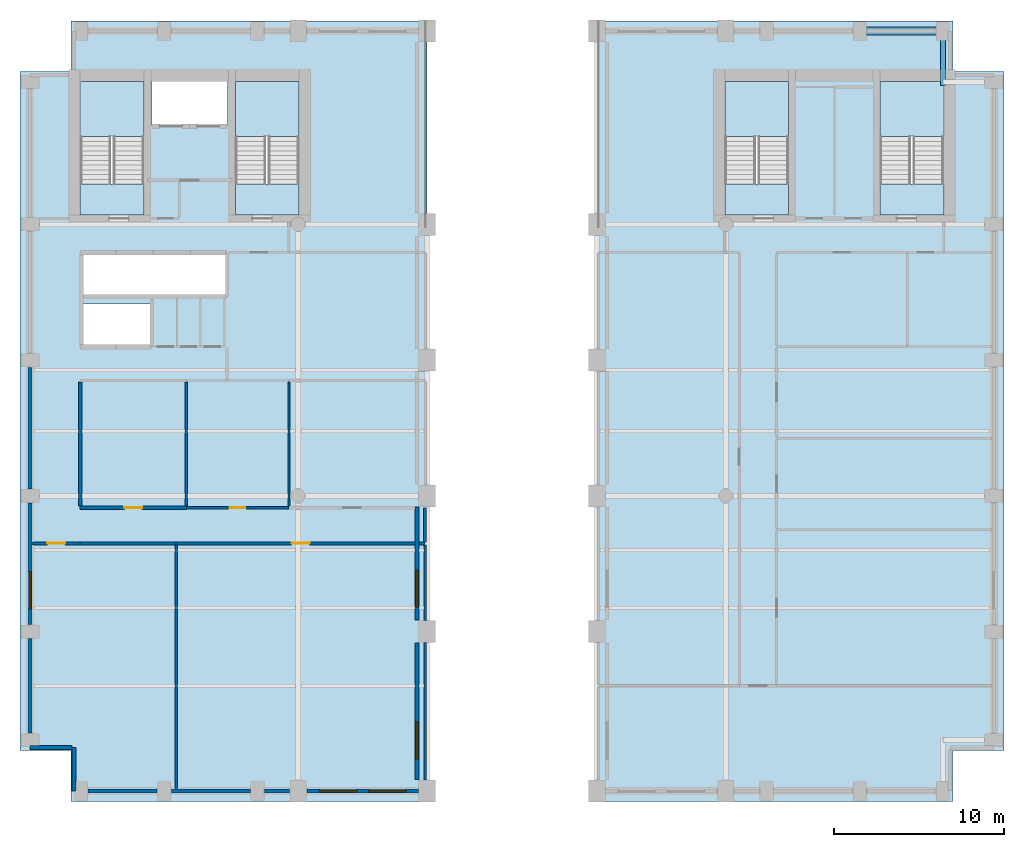
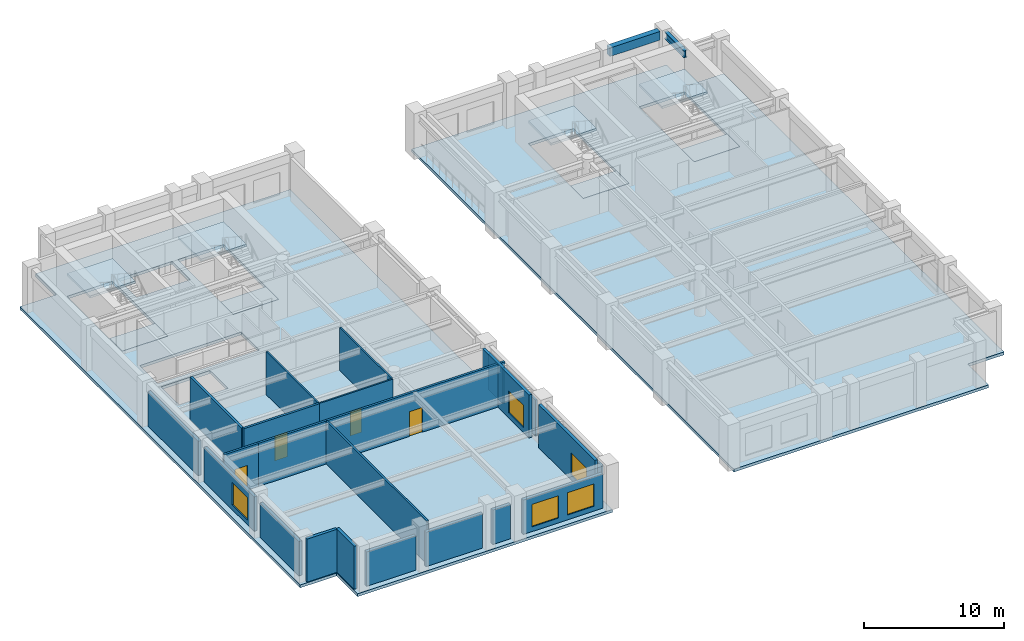
# One storey, part 2 of 8: 23 walls, 10 slabs, 5 windows, 4 doors, 2 beams, 9 openings, 4 elements without a shape of their own.
"""IFC4 building model written with IfcOpenShell, lengths in metres."""

from ifc_helpers import new_model, si_unit, direction, frame, frame_2d, origin, origin_2d, place, context, subcontext, project, spatial, polyline, rectangle, i_section, outline, extrude, material, layer, layer_set, material_profile, profile_set, type_object, element, fill, aggregate, save


model = new_model("IFC4")

# Units and contexts
model_context = context("Model", 3, precision=1e-05, world=origin(), true_north=direction((0.0, 1.0)))
body_context = subcontext(model_context, "Body", "Model", "MODEL_VIEW")
ifc_project = project(units=[si_unit("LENGTHUNIT", "METRE"), si_unit("AREAUNIT", "SQUARE_METRE"), si_unit("VOLUMEUNIT", "CUBIC_METRE"), si_unit("PLANEANGLEUNIT", "RADIAN"), si_unit("MASSUNIT", "GRAM", prefix="KILO")], contexts=[model_context])

# Site, building, storey
site_placement = place(None, origin())
site = spatial("IfcSite", under=ifc_project, at=site_placement, CompositionType="ELEMENT")
building_placement = place(site_placement, origin())
building = spatial("IfcBuilding", under=site, at=building_placement, Name="Sulina Concourse Tower", CompositionType="ELEMENT")
storey_placement = place(building_placement, frame((0.0, 0.0, 186.60009765625)))
storey = spatial("IfcBuildingStorey", under=building, at=storey_placement, Name="L45", CompositionType="ELEMENT", Elevation=186.60009765625)

# Beams
ifc_material_1 = material(Name="Steel S355", Category="steel")
ifc_material_profile_1 = material_profile(ifc_material_1, i_section(OverallWidth=0.300048828125, OverallDepth=0.60009765625, WebThickness=0.015380859375, FlangeThickness=0.030029296875, at=origin_2d()), Name="HE 600 B")
ifc_profile_set_1 = profile_set([ifc_material_profile_1], Name="Steel S355")
beam_type_1 = type_object("IfcBeamType", Name="Floor Primary Girder Zone 3 HE600B", PredefinedType="BEAM", material=ifc_profile_set_1)
beam_1_placement = place(storey_placement, frame((54.39990234375, 42.199951171875, 3.449951171875), z_axis=(0.0, 1.0, 0.0), x_axis=(-1.0, 0.0, 0.0)))
element("IfcBeam", 1, at=beam_1_placement, inside=storey, type_object=beam_type_1, Name="TIE-NEN-L45", PredefinedType="BEAM", context=body_context, shape_type="SweptSolid", body=[
    extrude(i_section(OverallWidth=0.300048828125, OverallDepth=0.60009765625, WebThickness=0.015380859375, FlangeThickness=0.030029296875, at=origin_2d()), origin(), (0.0, 0.0, 1.0), 2.820068359375),
])
ifc_material_2 = material(Name="Precast concrete C50/60", Category="concrete")
ifc_material_profile_2 = material_profile(ifc_material_2, rectangle(XDim=0.449951171875, YDim=0.75, at=origin_2d()), Name="RC 450x750")
ifc_profile_set_2 = profile_set([ifc_material_profile_2], Name="Precast concrete C50/60")
beam_type_2 = type_object("IfcBeamType", Name="Upper Precast Spandrel Edge Beam 450x750", PredefinedType="BEAM", material=ifc_profile_set_2)
beam_2_placement = place(storey_placement, frame((49.8798828125, 45.39990234375, 3.375), z_axis=(1.0, 0.0, 0.0), x_axis=(0.0, 1.0, 0.0)))
element("IfcBeam", 2, at=beam_2_placement, inside=storey, type_object=beam_type_2, Name="SP-N9-L45", PredefinedType="BEAM", context=body_context, shape_type="SweptSolid", body=[
    extrude(rectangle(XDim=0.449951171875, YDim=0.75, at=origin_2d()), origin(), (0.0, 0.0, 1.0), 4.14013671875),
])

# Slabs
ifc_material_3 = material(Name="Concrete C50/60", Category="concrete")
ifc_layer_1 = layer(ifc_material_3, 0.25)
ifc_layer_set_1 = layer_set([ifc_layer_1], Name="Concrete C50/60")
slab_type_1 = type_object("IfcSlabType", Name="High-Rise Composite Floor Slab 250mm", PredefinedType="FLOOR", material=ifc_layer_set_1)
slab_1_placement = place(storey_placement, frame((0.0, 0.0, -0.25)))
element("IfcSlab", 3, at=slab_1_placement, inside=storey, type_object=slab_type_1, Name="L45 structural floor slab-P1", PredefinedType="FLOOR", context=body_context, shape_type="SweptSolid", body=[
    extrude(outline(polyline([(3.0, 0.0), (24.0, 0.0), (24.0, 46.0), (3.0, 46.0), (3.0, 43.0), (0.0, 43.0), (0.0, 3.0), (3.0, 3.0), (3.0, 0.0)]), holes=[polyline([(7.31005859375, 34.550048828125), (7.31005859375, 42.429931640625), (3.550048828125, 42.429931640625), (3.550048828125, 34.550048828125), (7.31005859375, 34.550048828125)]), polyline([(16.449951171875, 34.550048828125), (16.449951171875, 42.429931640625), (12.68994140625, 42.429931640625), (12.68994140625, 34.550048828125), (16.449951171875, 34.550048828125)]), polyline([(7.780029296875, 39.830078125), (12.219970703125, 39.830078125), (12.219970703125, 42.449951171875), (7.780029296875, 42.449951171875), (7.780029296875, 39.830078125)]), polyline([(3.739990234375, 26.780029296875), (7.77001953125, 26.780029296875), (7.77001953125, 29.320068359375), (3.739990234375, 29.320068359375), (3.739990234375, 26.780029296875)]), polyline([(3.739990234375, 29.780029296875), (12.10009765625, 29.780029296875), (12.10009765625, 32.3701171875), (3.739990234375, 32.3701171875), (3.739990234375, 29.780029296875)])]), origin(), (0.0, 0.0, 1.0), 0.25),
])
slab_2_placement = place(storey_placement, frame((0.0, 0.0, -0.25)))
element("IfcSlab", 4, at=slab_2_placement, inside=storey, type_object=slab_type_1, Name="L45 structural floor slab-P2", PredefinedType="FLOOR", context=body_context, shape_type="SweptSolid", body=[
    extrude(outline(polyline([(34.0, 0.0), (55.0, 0.0), (55.0, 3.0), (58.0, 3.0), (58.0, 43.0), (55.0, 43.0), (55.0, 46.0), (34.0, 46.0), (34.0, 0.0)]), holes=[polyline([(45.31005859375, 34.550048828125), (45.31005859375, 42.429931640625), (41.550048828125, 42.429931640625), (41.550048828125, 34.550048828125), (45.31005859375, 34.550048828125)]), polyline([(54.449951171875, 34.550048828125), (54.449951171875, 42.429931640625), (50.68994140625, 42.429931640625), (50.68994140625, 34.550048828125), (54.449951171875, 34.550048828125)])]), origin(), (0.0, 0.0, 1.0), 0.25),
])
ifc_material_4 = material(Name="Concrete C50/60", Category="concrete")
ifc_layer_2 = layer(ifc_material_4, 0.199951171875)
ifc_layer_set_2 = layer_set([ifc_layer_2], Name="Concrete C50/60")
slab_type_2 = type_object("IfcSlabType", Name="Primary Core Stair Landing Slab 200mm", PredefinedType="LANDING", material=ifc_layer_set_2)
slab_3_placement = place(storey_placement, frame((0.0, 0.0, -0.2001953125)))
element("IfcSlab", 5, at=slab_3_placement, inside=storey, type_object=slab_type_2, Name="L45 ST-1 floor landing slab", PredefinedType="LANDING", context=body_context, shape_type="SweptSolid", body=[
    extrude(outline(polyline([(7.31005859375, 34.550048828125), (7.31005859375, 36.375), (3.550048828125, 36.375), (3.550048828125, 34.550048828125), (7.31005859375, 34.550048828125)])), origin(), (0.0, 0.0, 1.0), 0.2001953125),
])
slab_4_placement = place(storey_placement, frame((0.0, 0.0, -0.2001953125)))
element("IfcSlab", 6, at=slab_4_placement, inside=storey, type_object=slab_type_2, Name="L45 ST-2 floor landing slab", PredefinedType="LANDING", context=body_context, shape_type="SweptSolid", body=[
    extrude(outline(polyline([(16.449951171875, 34.550048828125), (16.449951171875, 36.375), (12.68994140625, 36.375), (12.68994140625, 34.550048828125), (16.449951171875, 34.550048828125)])), origin(), (0.0, 0.0, 1.0), 0.2001953125),
])
slab_5_placement = place(storey_placement, frame((0.0, 0.0, -0.2001953125)))
element("IfcSlab", 7, at=slab_5_placement, inside=storey, type_object=slab_type_2, Name="L45 ST-3 floor landing slab", PredefinedType="LANDING", context=body_context, shape_type="SweptSolid", body=[
    extrude(outline(polyline([(45.31005859375, 34.550048828125), (45.31005859375, 36.375), (41.550048828125, 36.375), (41.550048828125, 34.550048828125), (45.31005859375, 34.550048828125)])), origin(), (0.0, 0.0, 1.0), 0.2001953125),
])
slab_6_placement = place(storey_placement, frame((0.0, 0.0, -0.2001953125)))
element("IfcSlab", 8, at=slab_6_placement, inside=storey, type_object=slab_type_2, Name="L45 ST-4 floor landing slab", PredefinedType="LANDING", context=body_context, shape_type="SweptSolid", body=[
    extrude(outline(polyline([(54.449951171875, 34.550048828125), (54.449951171875, 36.375), (50.68994140625, 36.375), (50.68994140625, 34.550048828125), (54.449951171875, 34.550048828125)])), origin(), (0.0, 0.0, 1.0), 0.2001953125),
])

# Stair, slab
ifc_material_5 = material(Name="Concrete C50/60", Category="concrete")
stair_type_1 = type_object("IfcStairType", Name="Primary Core Dog-Leg Exit Stair 1800mm", PredefinedType="HALF_TURN_STAIR", material=ifc_material_5)
stair_1_placement = place(storey_placement, origin())
stair_1 = element("IfcStair", 9, at=stair_1_placement, inside=storey, type_object=stair_type_1, Name="L45 ST-1", PredefinedType="HALF_TURN_STAIR")
slab_7_placement = place(storey_placement, frame((0.0, 0.0, 1.7998046875)))
slab_7 = element("IfcSlab", 10, at=slab_7_placement, type_object=slab_type_2, Name="ST-1 landing 1", PredefinedType="LANDING", context=body_context, shape_type="SweptSolid", body=[
    extrude(outline(polyline([(7.304931640625, 39.175048828125), (7.304931640625, 42.425048828125), (3.554931640625, 42.425048828125), (3.554931640625, 39.175048828125), (7.304931640625, 39.175048828125)])), origin(), (0.0, 0.0, 1.0), 0.2001953125),
])
aggregate(stair_1, [slab_7])

stair_2_placement = place(storey_placement, origin())
stair_2 = element("IfcStair", 11, at=stair_2_placement, inside=storey, type_object=stair_type_1, Name="L45 ST-2", PredefinedType="HALF_TURN_STAIR")
slab_8_placement = place(storey_placement, frame((0.0, 0.0, 1.7998046875)))
slab_8 = element("IfcSlab", 12, at=slab_8_placement, type_object=slab_type_2, Name="ST-2 landing 1", PredefinedType="LANDING", context=body_context, shape_type="SweptSolid", body=[
    extrude(outline(polyline([(16.445068359375, 39.175048828125), (16.445068359375, 42.425048828125), (12.695068359375, 42.425048828125), (12.695068359375, 39.175048828125), (16.445068359375, 39.175048828125)])), origin(), (0.0, 0.0, 1.0), 0.2001953125),
])
aggregate(stair_2, [slab_8])

ifc_material_6 = material(Name="Concrete C50/60", Category="concrete")
stair_type_2 = type_object("IfcStairType", Name="Portal & Podium Core Exit Stair 1820mm", PredefinedType="HALF_TURN_STAIR", material=ifc_material_6)
stair_3_placement = place(storey_placement, origin())
stair_3 = element("IfcStair", 13, at=stair_3_placement, inside=storey, type_object=stair_type_2, Name="L45 ST-3", PredefinedType="HALF_TURN_STAIR")
slab_9_placement = place(storey_placement, frame((0.0, 0.0, 1.7998046875)))
slab_9 = element("IfcSlab", 14, at=slab_9_placement, type_object=slab_type_2, Name="ST-3 landing 1", PredefinedType="LANDING", context=body_context, shape_type="SweptSolid", body=[
    extrude(outline(polyline([(45.304931640625, 39.175048828125), (45.304931640625, 42.425048828125), (41.554931640625, 42.425048828125), (41.554931640625, 39.175048828125), (45.304931640625, 39.175048828125)])), origin(), (0.0, 0.0, 1.0), 0.2001953125),
])
aggregate(stair_3, [slab_9])

stair_4_placement = place(storey_placement, origin())
stair_4 = element("IfcStair", 15, at=stair_4_placement, inside=storey, type_object=stair_type_2, Name="L45 ST-4", PredefinedType="HALF_TURN_STAIR")
slab_10_placement = place(storey_placement, frame((0.0, 0.0, 1.7998046875)))
slab_10 = element("IfcSlab", 16, at=slab_10_placement, type_object=slab_type_2, Name="ST-4 landing 1", PredefinedType="LANDING", context=body_context, shape_type="SweptSolid", body=[
    extrude(outline(polyline([(54.445068359375, 39.175048828125), (54.445068359375, 42.425048828125), (50.695068359375, 42.425048828125), (50.695068359375, 39.175048828125), (54.445068359375, 39.175048828125)])), origin(), (0.0, 0.0, 1.0), 0.2001953125),
])
aggregate(stair_4, [slab_10])

# Walls
ifc_material_7 = material(Name="Precast concrete C50/60", Category="concrete")
ifc_layer_3 = layer(ifc_material_7, 0.239990234375)
ifc_layer_set_3 = layer_set([ifc_layer_3], Name="Precast concrete C50/60")
wall_type_1 = type_object("IfcWallType", Name="Crown Precast Masonry-Frame Facade Wall 240mm", PredefinedType="SOLIDWALL", material=ifc_layer_set_3)
wall_1_placement = place(storey_placement, frame((8.080078125, 0.60009765625, 0.0), z_axis=(0.0, 0.0, 1.0), x_axis=(-1.0, 0.0, 0.0)))
element("IfcWall", 17, at=wall_1_placement, inside=storey, type_object=wall_type_1, Name="L45 exterior precast wall S1", PredefinedType="SOLIDWALL", context=body_context, shape_type="SweptSolid", body=[
    extrude(rectangle(XDim=4.06005859375, YDim=0.239990234375, at=frame_2d((2.030029296875, 0.0))), origin(), (0.0, 0.0, 1.0), 3.0),
])
wall_2_placement = place(storey_placement, frame((13.580078125, 0.60009765625, 0.0), z_axis=(0.0, 0.0, 1.0), x_axis=(-1.0, 0.0, 0.0)))
element("IfcWall", 18, at=wall_2_placement, inside=storey, type_object=wall_type_1, Name="L45 exterior precast wall S2", PredefinedType="SOLIDWALL", context=body_context, shape_type="SweptSolid", body=[
    extrude(rectangle(XDim=4.66015625, YDim=0.239990234375, at=frame_2d((2.330078125, 0.0))), origin(), (0.0, 0.0, 1.0), 3.0),
])
wall_3_placement = place(storey_placement, frame((15.8798828125, 0.60009765625, 0.0), z_axis=(0.0, 0.0, 1.0), x_axis=(-1.0, 0.0, 0.0)))
element("IfcWall", 19, at=wall_3_placement, inside=storey, type_object=wall_type_1, Name="L45 exterior precast wall S3", PredefinedType="SOLIDWALL", context=body_context, shape_type="SweptSolid", body=[
    extrude(rectangle(XDim=1.4599609375, YDim=0.239990234375, at=frame_2d((0.72998046875, 0.0))), origin(), (0.0, 0.0, 1.0), 3.0),
])

# Wall, openings, windows
wall_4_placement = place(storey_placement, frame((23.47998046875, 0.60009765625, 0.0), z_axis=(0.0, 0.0, 1.0), x_axis=(-1.0, 0.0, 0.0)))
wall_4 = element("IfcWall", 20, at=wall_4_placement, inside=storey, type_object=wall_type_1, Name="L45 exterior precast wall S4", PredefinedType="SOLIDWALL", context=body_context, shape_type="SweptSolid", body=[
    extrude(rectangle(XDim=6.56005859375, YDim=0.239990234375, at=frame_2d((3.280029296875, 0.0))), origin(), (0.0, 0.0, 1.0), 3.0),
])
opening_1_placement = place(wall_4_placement, frame((0.719970703125, 0.0, 0.419921875)))
opening_1 = element("IfcOpeningElement", 21, at=opening_1_placement, cuts=wall_4, Name="Opening WN-76", PredefinedType="OPENING", context=body_context, shape_type="SweptSolid", body=[
    extrude(rectangle(XDim=2.199951171875, YDim=1.949951171875, at=frame_2d((1.10009765625, 0.97509765625))), frame((0.0, 0.1298828125, 0.0), z_axis=(0.0, -1.0, 0.0), x_axis=(1.0, 0.0, 0.0)), (0.0, 0.0, 1.0), 0.260009765625),
])
opening_2_placement = place(wall_4_placement, frame((3.639892578125, 0.0, 0.419921875)))
opening_2 = element("IfcOpeningElement", 22, at=opening_2_placement, cuts=wall_4, Name="Opening WN-76", PredefinedType="OPENING", context=body_context, shape_type="SweptSolid", body=[
    extrude(rectangle(XDim=2.199951171875, YDim=1.949951171875, at=frame_2d((1.10009765625, 0.97509765625))), frame((0.0, 0.1298828125, 0.0), z_axis=(0.0, -1.0, 0.0), x_axis=(1.0, 0.0, 0.0)), (0.0, 0.0, 1.0), 0.260009765625),
])
ifc_material_8 = material(Name="Low-E solar double glazing in bronze aluminium", Category="aluminium")
window_type = type_object("IfcWindowType", Name="Recessed Spandrel Window 2200x1950", PartitioningType="DOUBLE_PANEL_VERTICAL", PredefinedType="WINDOW", material=ifc_material_8)
window_1_placement = place(opening_1_placement, origin())
window_1 = element("IfcWindow", 23, at=window_1_placement, inside=storey, type_object=window_type, Name="L45 punched window S4-1", OverallHeight=1.949951171875, OverallWidth=2.199951171875, PartitioningType="SINGLE_PANEL", PredefinedType="WINDOW", context=body_context, shape_type="SweptSolid", body=[
    extrude(rectangle(XDim=2.199951171875, YDim=1.949951171875, at=frame_2d((1.10009765625, 0.97509765625))), frame((0.0, 0.030029296875, 0.0), z_axis=(0.0, -1.0, 0.0), x_axis=(1.0, 0.0, 0.0)), (0.0, 0.0, 1.0), 0.06005859375),
])
fill(opening_1, window_1)
window_2_placement = place(opening_2_placement, origin())
window_2 = element("IfcWindow", 24, at=window_2_placement, inside=storey, type_object=window_type, Name="L45 punched window S4-2", OverallHeight=1.949951171875, OverallWidth=2.199951171875, PartitioningType="SINGLE_PANEL", PredefinedType="WINDOW", context=body_context, shape_type="SweptSolid", body=[
    extrude(rectangle(XDim=2.199951171875, YDim=1.949951171875, at=frame_2d((1.10009765625, 0.97509765625))), frame((0.0, 0.030029296875, 0.0), z_axis=(0.0, -1.0, 0.0), x_axis=(1.0, 0.0, 0.0)), (0.0, 0.0, 1.0), 0.06005859375),
])
fill(opening_2, window_2)

# Wall
wall_5_placement = place(storey_placement, frame((0.60009765625, 4.02001953125, 0.0), z_axis=(0.0, 0.0, 1.0), x_axis=(0.0, 1.0, 0.0)))
element("IfcWall", 25, at=wall_5_placement, inside=storey, type_object=wall_type_1, Name="L45 exterior precast wall W1", PredefinedType="SOLIDWALL", context=body_context, shape_type="SweptSolid", body=[
    extrude(rectangle(XDim=5.56005859375, YDim=0.239990234375, at=frame_2d((2.780029296875, 0.0))), origin(), (0.0, 0.0, 1.0), 3.0),
])

# Wall, opening, window
wall_6_placement = place(storey_placement, frame((0.60009765625, 10.419921875, 0.0), z_axis=(0.0, 0.0, 1.0), x_axis=(0.0, 1.0, 0.0)))
wall_6 = element("IfcWall", 26, at=wall_6_placement, inside=storey, type_object=wall_type_1, Name="L45 exterior precast wall W2", PredefinedType="SOLIDWALL", context=body_context, shape_type="SweptSolid", body=[
    extrude(rectangle(XDim=7.16015625, YDim=0.239990234375, at=frame_2d((3.580078125, 0.0))), origin(), (0.0, 0.0, 1.0), 3.0),
])
opening_3_placement = place(wall_6_placement, frame((0.919921875, 0.0, 0.419921875)))
opening_3 = element("IfcOpeningElement", 27, at=opening_3_placement, cuts=wall_6, Name="Opening WN-76", PredefinedType="OPENING", context=body_context, shape_type="SweptSolid", body=[
    extrude(rectangle(XDim=2.199951171875, YDim=1.949951171875, at=frame_2d((1.10009765625, 0.97509765625))), frame((0.0, 0.1298828125, 0.0), z_axis=(0.0, -1.0, 0.0), x_axis=(1.0, 0.0, 0.0)), (0.0, 0.0, 1.0), 0.260009765625),
])
window_3_placement = place(opening_3_placement, origin())
window_3 = element("IfcWindow", 28, at=window_3_placement, inside=storey, type_object=window_type, Name="L45 punched window W2-1", OverallHeight=1.949951171875, OverallWidth=2.199951171875, PartitioningType="SINGLE_PANEL", PredefinedType="WINDOW", context=body_context, shape_type="SweptSolid", body=[
    extrude(rectangle(XDim=2.199951171875, YDim=1.949951171875, at=frame_2d((1.10009765625, 0.97509765625))), frame((0.0, 0.030029296875, 0.0), z_axis=(0.0, -1.0, 0.0), x_axis=(1.0, 0.0, 0.0)), (0.0, 0.0, 1.0), 0.06005859375),
])
fill(opening_3, window_3)

# Walls
wall_7_placement = place(storey_placement, frame((0.60009765625, 18.419921875, 0.0), z_axis=(0.0, 0.0, 1.0), x_axis=(0.0, 1.0, 0.0)))
element("IfcWall", 29, at=wall_7_placement, inside=storey, type_object=wall_type_1, Name="L45 exterior precast wall W3", PredefinedType="SOLIDWALL", context=body_context, shape_type="SweptSolid", body=[
    extrude(rectangle(XDim=7.16015625, YDim=0.239990234375, at=frame_2d((3.580078125, 0.0))), origin(), (0.0, 0.0, 1.0), 3.0),
])
wall_8_placement = place(storey_placement, frame((3.179931640625, 0.60009765625, 0.0), z_axis=(0.0, 0.0, 1.0), x_axis=(0.0, 1.0, 0.0)))
element("IfcWall", 30, at=wall_8_placement, inside=storey, type_object=wall_type_1, Name="L45 exterior precast wall CSW1", PredefinedType="SOLIDWALL", context=body_context, shape_type="SweptSolid", body=[
    extrude(rectangle(XDim=2.579833984375, YDim=0.239990234375, at=frame_2d((1.2900390625, 0.0))), origin(), (0.0, 0.0, 1.0), 3.75),
])
wall_9_placement = place(storey_placement, frame((3.054931640625, 3.179931640625, 0.0), z_axis=(0.0, 0.0, 1.0), x_axis=(-1.0, 0.0, 0.0)))
element("IfcWall", 31, at=wall_9_placement, inside=storey, type_object=wall_type_1, Name="L45 exterior precast wall CSW2", PredefinedType="SOLIDWALL", context=body_context, shape_type="SweptSolid", body=[
    extrude(rectangle(XDim=2.454833984375, YDim=0.239990234375, at=frame_2d((1.2275390625, 0.0))), origin(), (0.0, 0.0, 1.0), 3.75),
])

# Wall, opening, window
wall_10_placement = place(storey_placement, frame((23.39990234375, 9.330078125, 0.0), z_axis=(0.0, 0.0, 1.0), x_axis=(0.0, -1.0, 0.0)))
wall_10 = element("IfcWall", 32, at=wall_10_placement, inside=storey, type_object=wall_type_1, Name="L45 exterior precast wall PW1", PredefinedType="SOLIDWALL", context=body_context, shape_type="SweptSolid", body=[
    extrude(rectangle(XDim=8.06005859375, YDim=0.239990234375, at=frame_2d((4.030029296875, 0.0))), origin(), (0.0, 0.0, 1.0), 3.75),
])
opening_4_placement = place(wall_10_placement, frame((4.639892578125, 0.0, 0.419921875)))
opening_4 = element("IfcOpeningElement", 33, at=opening_4_placement, cuts=wall_10, Name="Opening WN-76", PredefinedType="OPENING", context=body_context, shape_type="SweptSolid", body=[
    extrude(rectangle(XDim=2.199951171875, YDim=1.949951171875, at=frame_2d((1.10009765625, 0.97509765625))), frame((0.0, 0.1298828125, 0.0), z_axis=(0.0, -1.0, 0.0), x_axis=(1.0, 0.0, 0.0)), (0.0, 0.0, 1.0), 0.260009765625),
])
window_4_placement = place(opening_4_placement, origin())
window_4 = element("IfcWindow", 34, at=window_4_placement, inside=storey, type_object=window_type, Name="L45 punched window PW1-1", OverallHeight=1.949951171875, OverallWidth=2.199951171875, PartitioningType="SINGLE_PANEL", PredefinedType="WINDOW", context=body_context, shape_type="SweptSolid", body=[
    extrude(rectangle(XDim=2.199951171875, YDim=1.949951171875, at=frame_2d((1.10009765625, 0.97509765625))), frame((0.0, 0.030029296875, 0.0), z_axis=(0.0, -1.0, 0.0), x_axis=(1.0, 0.0, 0.0)), (0.0, 0.0, 1.0), 0.06005859375),
])
fill(opening_4, window_4)

wall_11_placement = place(storey_placement, frame((23.39990234375, 17.330078125, 0.0), z_axis=(0.0, 0.0, 1.0), x_axis=(0.0, -1.0, 0.0)))
wall_11 = element("IfcWall", 35, at=wall_11_placement, inside=storey, type_object=wall_type_1, Name="L45 exterior precast wall PW2", PredefinedType="SOLIDWALL", context=body_context, shape_type="SweptSolid", body=[
    extrude(rectangle(XDim=6.66015625, YDim=0.239990234375, at=frame_2d((3.330078125, 0.0))), origin(), (0.0, 0.0, 1.0), 3.75),
])
opening_5_placement = place(wall_11_placement, frame((3.706787109375, 0.0, 0.419921875)))
opening_5 = element("IfcOpeningElement", 36, at=opening_5_placement, cuts=wall_11, Name="Opening WN-76", PredefinedType="OPENING", context=body_context, shape_type="SweptSolid", body=[
    extrude(rectangle(XDim=2.199951171875, YDim=1.949951171875, at=frame_2d((1.10009765625, 0.97509765625))), frame((0.0, 0.1298828125, 0.0), z_axis=(0.0, -1.0, 0.0), x_axis=(1.0, 0.0, 0.0)), (0.0, 0.0, 1.0), 0.260009765625),
])
window_5_placement = place(opening_5_placement, origin())
window_5 = element("IfcWindow", 37, at=window_5_placement, inside=storey, type_object=window_type, Name="L45 punched window PW2-1", OverallHeight=1.949951171875, OverallWidth=2.199951171875, PartitioningType="SINGLE_PANEL", PredefinedType="WINDOW", context=body_context, shape_type="SweptSolid", body=[
    extrude(rectangle(XDim=2.199951171875, YDim=1.949951171875, at=frame_2d((1.10009765625, 0.97509765625))), frame((0.0, 0.030029296875, 0.0), z_axis=(0.0, -1.0, 0.0), x_axis=(1.0, 0.0, 0.0)), (0.0, 0.0, 1.0), 0.06005859375),
])
fill(opening_5, window_5)

# Walls
ifc_material_9 = material(Name="Gypsum board on steel stud", Category="steel")
ifc_layer_4 = layer(ifc_material_9, 0.14990234375)
ifc_layer_set_4 = layer_set([ifc_layer_4], Name="Gypsum board on steel stud")
wall_type_2 = type_object("IfcWallType", Name="Inter-Tenancy Acoustic Partition 150mm", PredefinedType="PARTITIONING", material=ifc_layer_set_4)
wall_12_placement = place(storey_placement, frame((9.199951171875, 0.719970703125, 0.0), z_axis=(0.0, 0.0, 1.0), x_axis=(0.0, 1.0, 0.0)))
element("IfcWall", 38, at=wall_12_placement, inside=storey, type_object=wall_type_2, Name="L45 interior partition 033", PredefinedType="PARTITIONING", context=body_context, shape_type="SweptSolid", body=[
    extrude(rectangle(XDim=14.39013671875, YDim=0.14990234375, at=frame_2d((7.195068359375, 0.0))), origin(), (0.0, 0.0, 1.0), 3.75),
])
wall_13_placement = place(storey_placement, frame((23.8798828125, 1.25, 0.0), z_axis=(0.0, 0.0, 1.0), x_axis=(0.0, 1.0, 0.0)))
element("IfcWall", 39, at=wall_13_placement, inside=storey, type_object=wall_type_2, Name="L45 interior partition 042", PredefinedType="PARTITIONING", context=body_context, shape_type="SweptSolid", body=[
    extrude(rectangle(XDim=8.10009765625, YDim=0.14990234375, at=frame_2d((4.050048828125, 0.0))), origin(), (0.0, 0.0, 1.0), 3.14501953125),
])
wall_14_placement = place(storey_placement, frame((23.8798828125, 10.64990234375, 0.0), z_axis=(0.0, 0.0, 1.0), x_axis=(0.0, 1.0, 0.0)))
element("IfcWall", 40, at=wall_14_placement, inside=storey, type_object=wall_type_2, Name="L45 interior partition 043", PredefinedType="PARTITIONING", context=body_context, shape_type="SweptSolid", body=[
    extrude(rectangle(XDim=4.460205078125, YDim=0.14990234375, at=frame_2d((2.22998046875, 0.0))), origin(), (0.0, 0.0, 1.0), 3.14501953125),
])

# Wall, opening, door
ifc_material_10 = material(Name="Gypsum board on steel stud", Category="steel")
ifc_layer_5 = layer(ifc_material_10, 0.179931640625)
ifc_layer_set_5 = layer_set([ifc_layer_5], Name="Gypsum board on steel stud")
wall_type_3 = type_object("IfcWallType", Name="Protected Corridor & Riser Partition 180mm", PredefinedType="PARTITIONING", material=ifc_layer_set_5)
wall_15_placement = place(storey_placement, frame((0.719970703125, 15.199951171875, 0.0), z_axis=(0.0, 0.0, 1.0), x_axis=(1.0, 0.0, 0.0)))
wall_15 = element("IfcWall", 41, at=wall_15_placement, inside=storey, type_object=wall_type_3, Name="L45 interior partition 004", PredefinedType="PARTITIONING", context=body_context, shape_type="SweptSolid", body=[
    extrude(rectangle(XDim=2.830078125, YDim=0.179931640625, at=frame_2d((1.4150390625, 0.0))), origin(), (0.0, 0.0, 1.0), 3.75),
])
opening_6_placement = place(wall_15_placement, frame((0.889892578125, 0.0, 0.0)))
opening_6 = element("IfcOpeningElement", 42, at=opening_6_placement, cuts=wall_15, Name="Opening DR-37", PredefinedType="OPENING", context=body_context, shape_type="SweptSolid", body=[
    extrude(rectangle(XDim=1.050048828125, YDim=2.14990234375, at=frame_2d((0.52490234375, 1.074951171875))), frame((0.0, 0.099853515625, 0.0), z_axis=(0.0, -1.0, 0.0), x_axis=(1.0, 0.0, 0.0)), (0.0, 0.0, 1.0), 0.199951171875),
])
ifc_material_11 = material(Name="Oak-veneered fire door leaf")
ifc_layer_6 = layer(ifc_material_11, 0.050048828125)
ifc_layer_set_6 = layer_set([ifc_layer_6], Name="Oak-veneered fire door leaf")
door_type_1 = type_object("IfcDoorType", Name="Tenant Suite Entrance Fire Door 1050x2150", OperationType="NOTDEFINED", PredefinedType="DOOR", material=ifc_layer_set_6)
door_1_placement = place(opening_6_placement, origin())
door_1 = element("IfcDoor", 43, at=door_1_placement, inside=storey, type_object=door_type_1, Name="L45 interior door L45-OFF-W1", OperationType="SINGLE_SWING_RIGHT", OverallHeight=2.14990234375, OverallWidth=1.050048828125, PredefinedType="DOOR", context=body_context, shape_type="SweptSolid", body=[
    extrude(rectangle(XDim=1.050048828125, YDim=2.14990234375, at=frame_2d((0.52490234375, 1.074951171875))), frame((0.0, 0.02490234375, 0.0), z_axis=(0.0, -1.0, 0.0), x_axis=(1.0, 0.0, 0.0)), (0.0, 0.0, 1.0), 0.050048828125),
])
fill(opening_6, door_1)

# Wall
wall_16_placement = place(storey_placement, frame((3.550048828125, 15.199951171875, 0.0), z_axis=(0.0, 0.0, 1.0), x_axis=(1.0, 0.0, 0.0)))
element("IfcWall", 44, at=wall_16_placement, inside=storey, type_object=wall_type_3, Name="L45 interior partition 005", PredefinedType="PARTITIONING", context=body_context, shape_type="SweptSolid", body=[
    extrude(rectangle(XDim=5.64990234375, YDim=0.179931640625, at=frame_2d((2.824951171875, 0.0))), origin(), (0.0, 0.0, 1.0), 3.75),
])

# Wall, opening, door
wall_17_placement = place(storey_placement, frame((9.199951171875, 15.199951171875, 0.0), z_axis=(0.0, 0.0, 1.0), x_axis=(1.0, 0.0, 0.0)))
wall_17 = element("IfcWall", 45, at=wall_17_placement, inside=storey, type_object=wall_type_3, Name="L45 interior partition 006", PredefinedType="PARTITIONING", context=body_context, shape_type="SweptSolid", body=[
    extrude(rectangle(XDim=14.679931640625, YDim=0.179931640625, at=frame_2d((7.33984375, 0.0))), origin(), (0.0, 0.0, 1.0), 3.75),
])
opening_7_placement = place(wall_17_placement, frame((6.81494140625, 0.0, 0.0)))
opening_7 = element("IfcOpeningElement", 46, at=opening_7_placement, cuts=wall_17, Name="Opening DR-37", PredefinedType="OPENING", context=body_context, shape_type="SweptSolid", body=[
    extrude(rectangle(XDim=1.050048828125, YDim=2.14990234375, at=frame_2d((0.52490234375, 1.074951171875))), frame((0.0, 0.099853515625, 0.0), z_axis=(0.0, -1.0, 0.0), x_axis=(1.0, 0.0, 0.0)), (0.0, 0.0, 1.0), 0.199951171875),
])
door_2_placement = place(opening_7_placement, origin())
door_2 = element("IfcDoor", 47, at=door_2_placement, inside=storey, type_object=door_type_1, Name="L45 interior door L45-MTG-W1", OperationType="SINGLE_SWING_LEFT", OverallHeight=2.14990234375, OverallWidth=1.050048828125, PredefinedType="DOOR", context=body_context, shape_type="SweptSolid", body=[
    extrude(rectangle(XDim=1.050048828125, YDim=2.14990234375, at=frame_2d((0.52490234375, 1.074951171875))), frame((0.0, 0.02490234375, 0.0), z_axis=(0.0, -1.0, 0.0), x_axis=(1.0, 0.0, 0.0)), (0.0, 0.0, 1.0), 0.050048828125),
])
fill(opening_7, door_2)

wall_18_placement = place(storey_placement, frame((3.550048828125, 17.300048828125, 0.0), z_axis=(0.0, 0.0, 1.0), x_axis=(1.0, 0.0, 0.0)))
wall_18 = element("IfcWall", 48, at=wall_18_placement, inside=storey, type_object=wall_type_3, Name="L45 interior partition 008", PredefinedType="PARTITIONING", context=body_context, shape_type="SweptSolid", body=[
    extrude(rectangle(XDim=6.25, YDim=0.179931640625, at=frame_2d((3.125, 0.0))), origin(), (0.0, 0.0, 1.0), 3.75),
])
opening_8_placement = place(wall_18_placement, frame((2.60009765625, 0.0, 0.0)))
opening_8 = element("IfcOpeningElement", 49, at=opening_8_placement, cuts=wall_18, Name="Opening DR-37", PredefinedType="OPENING", context=body_context, shape_type="SweptSolid", body=[
    extrude(rectangle(XDim=1.050048828125, YDim=2.14990234375, at=frame_2d((0.52490234375, 1.074951171875))), frame((0.0, 0.099853515625, 0.0), z_axis=(0.0, -1.0, 0.0), x_axis=(1.0, 0.0, 0.0)), (0.0, 0.0, 1.0), 0.199951171875),
])
door_3_placement = place(opening_8_placement, origin())
door_3 = element("IfcDoor", 50, at=door_3_placement, inside=storey, type_object=door_type_1, Name="L45 interior door L45-LR-MRG1", OperationType="SINGLE_SWING_RIGHT", OverallHeight=2.14990234375, OverallWidth=1.050048828125, PredefinedType="DOOR", context=body_context, shape_type="SweptSolid", body=[
    extrude(rectangle(XDim=1.050048828125, YDim=2.14990234375, at=frame_2d((0.52490234375, 1.074951171875))), frame((0.0, 0.02490234375, 0.0), z_axis=(0.0, -1.0, 0.0), x_axis=(1.0, 0.0, 0.0)), (0.0, 0.0, 1.0), 0.050048828125),
])
fill(opening_8, door_3)

# Walls
wall_19_placement = place(storey_placement, frame((3.550048828125, 17.389892578125, 0.0), z_axis=(0.0, 0.0, 1.0), x_axis=(0.0, 1.0, 0.0)))
element("IfcWall", 51, at=wall_19_placement, inside=storey, type_object=wall_type_3, Name="L45 interior partition 032", PredefinedType="PARTITIONING", context=body_context, shape_type="SweptSolid", body=[
    extrude(rectangle(XDim=7.335205078125, YDim=0.179931640625, at=frame_2d((3.66748046875, 0.0))), origin(), (0.0, 0.0, 1.0), 3.75),
])
wall_20_placement = place(storey_placement, frame((23.8798828125, 15.2900390625, 0.0), z_axis=(0.0, 0.0, 1.0), x_axis=(0.0, 1.0, 0.0)))
element("IfcWall", 52, at=wall_20_placement, inside=storey, type_object=wall_type_3, Name="L45 interior partition 044", PredefinedType="PARTITIONING", context=body_context, shape_type="SweptSolid", body=[
    extrude(rectangle(XDim=2.010009765625, YDim=0.179931640625, at=frame_2d((1.0048828125, 0.0))), origin(), (0.0, 0.0, 1.0), 3.14501953125),
])

# Wall, opening, door
ifc_material_12 = material(Name="Gypsum board on steel stud", Category="steel")
ifc_layer_7 = layer(ifc_material_12, 0.125)
ifc_layer_set_7 = layer_set([ifc_layer_7], Name="Gypsum board on steel stud")
wall_type_4 = type_object("IfcWallType", Name="Wet-Area Moisture-Resistant Partition 125mm", PredefinedType="PARTITIONING", material=ifc_layer_set_7)
wall_21_placement = place(storey_placement, frame((9.800048828125, 17.300048828125, 0.0), z_axis=(0.0, 0.0, 1.0), x_axis=(1.0, 0.0, 0.0)))
wall_21 = element("IfcWall", 53, at=wall_21_placement, inside=storey, type_object=wall_type_4, Name="L45 interior partition 009", PredefinedType="PARTITIONING", context=body_context, shape_type="SweptSolid", body=[
    extrude(rectangle(XDim=6.050048828125, YDim=0.125, at=frame_2d((3.02490234375, 0.0))), origin(), (0.0, 0.0, 1.0), 3.75),
])
opening_9_placement = place(wall_21_placement, frame((2.574951171875, 0.0, 0.0)))
opening_9 = element("IfcOpeningElement", 54, at=opening_9_placement, cuts=wall_21, Name="Opening DR-21", PredefinedType="OPENING", context=body_context, shape_type="SweptSolid", body=[
    extrude(rectangle(XDim=0.89990234375, YDim=2.10009765625, at=frame_2d((0.449951171875, 1.050048828125))), frame((0.0, 0.072509765625, 0.0), z_axis=(0.0, -1.0, 0.0), x_axis=(1.0, 0.0, 0.0)), (0.0, 0.0, 1.0), 0.14501953125),
])
ifc_material_13 = material(Name="Oak-veneered fire door leaf")
ifc_layer_8 = layer(ifc_material_13, 0.050048828125)
ifc_layer_set_8 = layer_set([ifc_layer_8], Name="Oak-veneered fire door leaf")
door_type_2 = type_object("IfcDoorType", Name="Restroom & Service Door 900x2100", OperationType="NOTDEFINED", PredefinedType="DOOR", material=ifc_layer_set_8)
door_4_placement = place(opening_9_placement, origin())
door_4 = element("IfcDoor", 55, at=door_4_placement, inside=storey, type_object=door_type_2, Name="L45 interior door L45-LR-MRG2", OperationType="SINGLE_SWING_LEFT", OverallHeight=2.10009765625, OverallWidth=0.89990234375, PredefinedType="DOOR", context=body_context, shape_type="SweptSolid", body=[
    extrude(rectangle(XDim=0.89990234375, YDim=2.10009765625, at=frame_2d((0.449951171875, 1.050048828125))), frame((0.0, 0.02490234375, 0.0), z_axis=(0.0, -1.0, 0.0), x_axis=(1.0, 0.0, 0.0)), (0.0, 0.0, 1.0), 0.050048828125),
])
fill(opening_9, door_4)

# Walls
for number, where, z_axis, x_axis, name in (
    (56, (9.800048828125, 17.389892578125, 0.0), (0.0, 0.0, 1.0), (0.0, 1.0, 0.0), "L45 interior partition 036"),
    (57, (15.85009765625, 17.389892578125, 0.0), (0.0, 0.0, 1.0), (0.0, 1.0, 0.0), "L45 interior partition 040"),
):
    element("IfcWall", number, at=place(storey_placement, frame(where, z_axis=z_axis, x_axis=x_axis)), inside=storey, type_object=wall_type_4, Name=name, PredefinedType="PARTITIONING", context=body_context, shape_type="SweptSolid", body=[
        extrude(rectangle(XDim=7.335205078125, YDim=0.125, at=frame_2d((3.66748046875, 0.0))), origin(), (0.0, 0.0, 1.0), 3.75),
    ])

save(model, "model.ifc")
